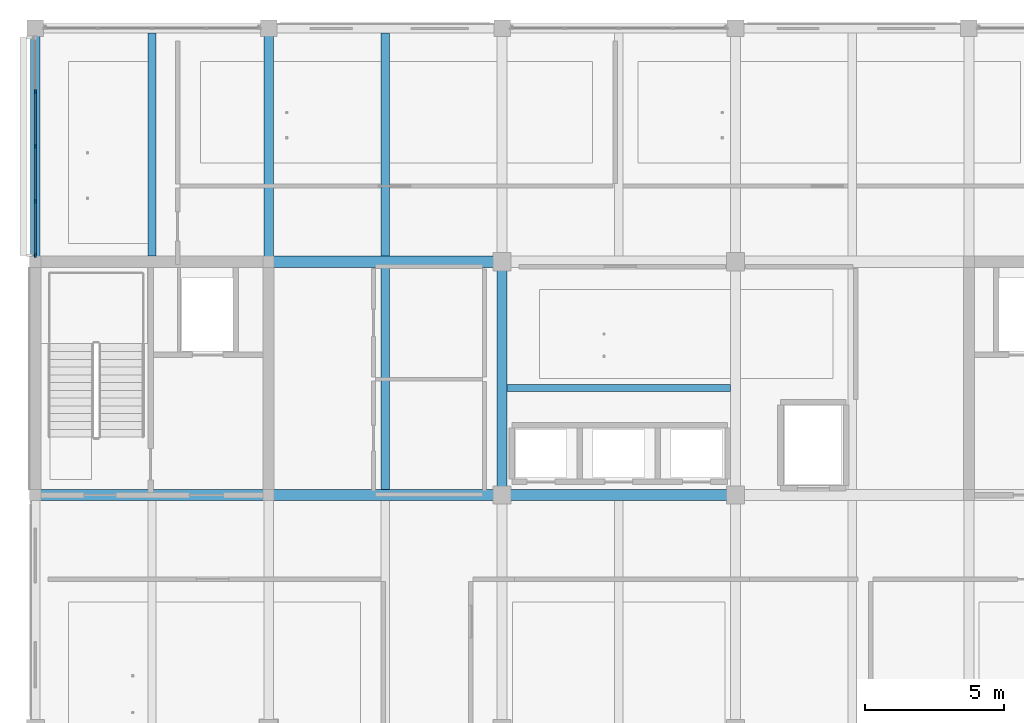
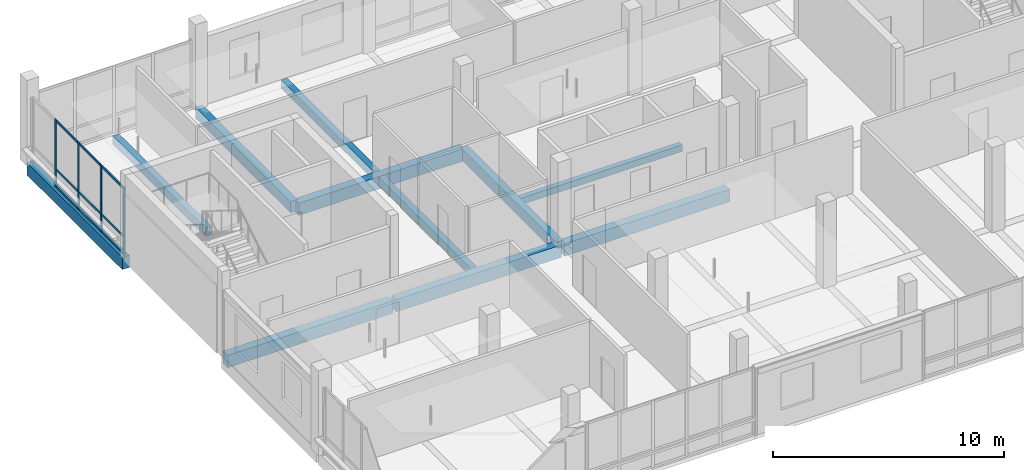
# One storey, part 4 of 30: 13 members, 11 beams, 1 element without a shape of its own.
"""IFC4 building model written with IfcOpenShell, lengths in metres."""

import ifcopenshell
import ifcopenshell.guid

model = None  # the IFC model being written
_history = None  # IfcOwnerHistory: only IFC2X3 demands one
_inside = {}  # id of a spatial element -> (the spatial element, [elements in it])
_under = {}  # id of a project, library or spatial element -> (it, [spatial elements below it])
_declared = {}  # id of a project -> (the project, [libraries it declares])
_typed = {}  # id of a type object -> (the type object, [elements of that type])
_made_of = {}  # id of a material, layer set ... -> (it, [elements and type objects made of it])


def new_model(schema):
    """Start an empty IFC model of exactly this schema.

    Asked for "IFC4X3", IfcOpenShell would pick the latest addendum, in which some entities
    have other attributes; the version numbers below select the first issue.
    IFC2X3 requires an IfcOwnerHistory on every rooted entity: one is made here for all.
    """
    global model, _history
    if schema == "IFC4X3":
        model = ifcopenshell.file(schema_version=(4, 3, 0, 0))
    else:
        model = ifcopenshell.file(schema=schema)
    _inside.clear()
    _under.clear()
    _declared.clear()
    _typed.clear()
    _made_of.clear()
    _history = None
    if model.schema == "IFC2X3":
        org = make("IfcOrganization", Name="unknown")
        user = make(
            "IfcPersonAndOrganization",
            ThePerson=make("IfcPerson", FamilyName="unknown"),
            TheOrganization=org,
        )
        app = make(
            "IfcApplication",
            ApplicationDeveloper=org,
            Version="unknown",
            ApplicationFullName="unknown",
            ApplicationIdentifier="unknown",
        )
        _history = make(
            "IfcOwnerHistory",
            OwningUser=user,
            OwningApplication=app,
            ChangeAction="ADDED",
            CreationDate=0,
        )
    return model


def make(cls, **values):
    """One entity of the class cls with the attributes given. An attribute that is None is left unset."""
    return model.create_entity(
        cls, **{name: value for name, value in values.items() if value is not None}
    )


def rooted(cls, **values):
    """An entity with a GlobalId (a new one), such as an element, a storey or a relation."""
    return make(cls, GlobalId=ifcopenshell.guid.new(), OwnerHistory=_history, **values)


def si_unit(unit_type, name, prefix=None):
    """IfcSIUnit, for example si_unit("LENGTHUNIT", "METRE", prefix="MILLI")."""
    return make("IfcSIUnit", UnitType=unit_type, Prefix=prefix, Name=name)


def assignment(units):
    """IfcUnitAssignment: the units of a project."""
    return None if units is None else make("IfcUnitAssignment", Units=units)


def point(xyz):
    """IfcCartesianPoint."""
    return None if xyz is None else make("IfcCartesianPoint", Coordinates=xyz)


def direction(xyz):
    """IfcDirection."""
    return None if xyz is None else make("IfcDirection", DirectionRatios=xyz)


def frame(location, z_axis=None, x_axis=None):
    """IfcAxis2Placement3D, a coordinate frame: its origin and axes. An axis left out is left unset."""
    return make(
        "IfcAxis2Placement3D",
        Location=point(location),
        Axis=direction(z_axis),
        RefDirection=direction(x_axis),
    )


def frame_2d(location, x_axis=None):
    """IfcAxis2Placement2D, a coordinate frame in the plane: its origin and x axis."""
    return make(
        "IfcAxis2Placement2D", Location=point(location), RefDirection=direction(x_axis)
    )


def origin():
    """The frame at (0, 0, 0) with its axes left unset."""
    return frame((0.0, 0.0, 0.0))


def origin_2d():
    """The frame at (0, 0) in the plane with its x axis left unset."""
    return frame_2d((0.0, 0.0))


def place(relative_to, where):
    """IfcLocalPlacement: puts the frame where relative to a parent placement (None: the world)."""
    return make(
        "IfcLocalPlacement", PlacementRelTo=relative_to, RelativePlacement=where
    )


def context(
    kind, dimensions, precision=None, world=None, true_north=None, identifier=None
):
    """IfcGeometricRepresentationContext, for example the 3D "Model" context."""
    return make(
        "IfcGeometricRepresentationContext",
        ContextIdentifier=identifier,
        ContextType=kind,
        CoordinateSpaceDimension=dimensions,
        Precision=precision,
        WorldCoordinateSystem=world,
        TrueNorth=true_north,
    )


def subcontext(parent, identifier, kind, view, scale=None):
    """IfcGeometricRepresentationSubContext, for example "Body" below "Model"."""
    return make(
        "IfcGeometricRepresentationSubContext",
        ContextIdentifier=identifier,
        ContextType=kind,
        ParentContext=parent,
        TargetScale=scale,
        TargetView=view,
    )


def project(units=None, contexts=None):
    """IfcProject with its units and contexts."""
    return rooted(
        "IfcProject",
        Name="project",
        RepresentationContexts=contexts,
        UnitsInContext=assignment(units),
    )


def spatial(cls, under=None, at=None, **own):
    """A site, building, storey or space (cls), placed at a placement, below another one or the project."""
    s = rooted(cls, ObjectPlacement=at, **own)
    if under is not None:
        _under.setdefault(under.id(), (under, []))[1].append(s)
    return s


def profile(cls, at=None, kind="AREA", **sizes):
    """A parametric profile (cls). Its sizes go by their IFC names, for example OverallWidth=200.0."""
    return make(cls, ProfileType=kind, Position=at, **sizes)


def rectangle(**sizes):
    """IfcRectangleProfileDef."""
    return profile("IfcRectangleProfileDef", **sizes)


def extrude(swept, where, along, depth):
    """IfcExtrudedAreaSolid: the profile swept, set in the frame where, extruded along a direction by depth."""
    return make(
        "IfcExtrudedAreaSolid",
        SweptArea=swept,
        Position=where,
        ExtrudedDirection=direction(along),
        Depth=depth,
    )


def shape(context_of_items, identifier, shape_type, items):
    """IfcShapeRepresentation: the items that make up one representation, for example the "Body"."""
    return make(
        "IfcShapeRepresentation",
        ContextOfItems=context_of_items,
        RepresentationIdentifier=identifier,
        RepresentationType=shape_type,
        Items=items,
    )


def material(Name=None, Category=None):
    """IfcMaterial."""
    return make("IfcMaterial", Name=Name, Category=Category)


def layer(
    of_material, thickness, ventilated=None, Name=None, Category=None, Priority=None
):
    """IfcMaterialLayer: one layer of a wall or slab, of a material (None: an air gap)."""
    return make(
        "IfcMaterialLayer",
        Material=of_material,
        LayerThickness=thickness,
        IsVentilated=ventilated,
        Name=Name,
        Category=Category,
        Priority=Priority,
    )


def layer_set(layers, Name=None):
    """IfcMaterialLayerSet."""
    return make("IfcMaterialLayerSet", MaterialLayers=layers, LayerSetName=Name)


def material_profile(
    of_material, cross_section, Name=None, Category=None, Priority=None
):
    """IfcMaterialProfile: a cross section and its material."""
    return make(
        "IfcMaterialProfile",
        Name=Name,
        Material=of_material,
        Profile=cross_section,
        Priority=Priority,
        Category=Category,
    )


def profile_set(profiles, Name=None, composite=None):
    """IfcMaterialProfileSet."""
    return make(
        "IfcMaterialProfileSet",
        Name=Name,
        MaterialProfiles=profiles,
        CompositeProfile=composite,
    )


def made_of(thing, what):
    """Note that an element or type object is made of a material, layer set ...; save() writes the relation."""
    if what is not None:
        _made_of.setdefault(what.id(), (what, []))[1].append(thing)
    return thing


def type_object(cls, material=None, **own):
    """A type object (cls), such as IfcWallType, which elements share."""
    return made_of(rooted(cls, **own), material)


def element(
    cls,
    number,
    at=None,
    inside=None,
    cuts=None,
    type_object=None,
    material=None,
    context=None,
    identifier="Body",
    shape_type=None,
    held_by="IfcProductDefinitionShape",
    body=None,
    shapes=None,
    **own,
):
    """One element of the class cls, such as IfcWall. Its Tag is "e" and its number.

    at: its placement. inside: the storey or other place that contains it. cuts: it is an
    opening in that element (IfcRelVoidsElement). A single representation is given by context,
    identifier, shape_type and body (its items); several are given by shapes. held_by: the class
    of the entity that holds the representations. save() writes the other relations.
    """
    e = rooted(cls, Tag="e%d" % number, ObjectPlacement=at, **own)
    if body is not None:
        shapes = [shape(context, identifier, shape_type, body)]
    if shapes is not None:
        e.Representation = make(held_by, Representations=shapes)
    if inside is not None:
        _inside.setdefault(inside.id(), (inside, []))[1].append(e)
    if cuts is not None:
        rooted(
            "IfcRelVoidsElement", RelatingBuildingElement=cuts, RelatedOpeningElement=e
        )
    if type_object is not None:
        _typed.setdefault(type_object.id(), (type_object, []))[1].append(e)
    return made_of(e, material)


def aggregate(whole, parts):
    """IfcRelAggregates: a whole, such as a stair, and the parts it consists of."""
    return rooted("IfcRelAggregates", RelatingObject=whole, RelatedObjects=parts)


def save(model, path):
    """Write the relations noted so far, then the file.

    IfcRelAggregates (storeys below a building ...), IfcRelContainedInSpatialStructure (elements
    in a storey), IfcRelDefinesByType, IfcRelAssociatesMaterial and IfcRelDeclares: one each for
    every whole, place, type object, material and project.
    """
    for whole, parts in _under.values():
        aggregate(whole, parts)
    for where, things in _inside.values():
        rooted(
            "IfcRelContainedInSpatialStructure",
            RelatedElements=things,
            RelatingStructure=where,
        )
    for kind, things in _typed.values():
        rooted("IfcRelDefinesByType", RelatedObjects=things, RelatingType=kind)
    for what, things in _made_of.values():
        rooted("IfcRelAssociatesMaterial", RelatedObjects=things, RelatingMaterial=what)
    for by, libraries in _declared.values():
        rooted("IfcRelDeclares", RelatingContext=by, RelatedDefinitions=libraries)
    model.write(path)


model = new_model("IFC4")

# Units and contexts
model_context = context("Model", 3, precision=1e-05, world=origin(), true_north=direction((0.0, 1.0)))
body_context = subcontext(model_context, "Body", "Model", "MODEL_VIEW")
ifc_project = project(units=[si_unit("LENGTHUNIT", "METRE"), si_unit("AREAUNIT", "SQUARE_METRE"), si_unit("VOLUMEUNIT", "CUBIC_METRE"), si_unit("PLANEANGLEUNIT", "RADIAN"), si_unit("MASSUNIT", "GRAM", prefix="KILO")], contexts=[model_context])

# Site, building, storey
site_placement = place(None, origin())
site = spatial("IfcSite", under=ifc_project, at=site_placement, CompositionType="ELEMENT")
building_placement = place(site_placement, origin())
building = spatial("IfcBuilding", under=site, at=building_placement, Name="Telukmera Botanical Conservatory", CompositionType="ELEMENT")
storey_placement = place(building_placement, frame((0.0, 0.0, 60.0)))
storey = spatial("IfcBuildingStorey", under=building, at=storey_placement, Name="L13", CompositionType="ELEMENT", Elevation=60.0)

# Beams
ifc_material_1 = material(Name="Concrete C40/50", Category="concrete")
ifc_material_profile_1 = material_profile(ifc_material_1, rectangle(XDim=0.300048828125, YDim=0.449951171875, at=origin_2d()), Name="RC 300x450")
ifc_profile_set_1 = profile_set([ifc_material_profile_1], Name="Concrete C40/50")
beam_type_1 = type_object("IfcBeamType", Name="Beam_B25", PredefinedType="JOIST", material=ifc_profile_set_1)
beam_1_placement = place(storey_placement, frame((63.0, 34.60009765625, -0.22509765625), z_axis=(0.0, 1.0, 0.0), x_axis=(-1.0, 0.0, 0.0)))
element("IfcBeam", 1, at=beam_1_placement, inside=storey, type_object=beam_type_1, Name="Tower Secondary Floor Joist L13", PredefinedType="JOIST", context=body_context, shape_type="SweptSolid", body=[
    extrude(rectangle(XDim=0.300048828125, YDim=0.449951171875, at=origin_2d()), origin(), (0.0, 0.0, 1.0), 8.02490234375),
])
beam_2_placement = place(storey_placement, frame((71.39990234375, 26.199951171875, -0.22509765625), z_axis=(0.0, 1.0, 0.0), x_axis=(-1.0, 0.0, 0.0)))
element("IfcBeam", 2, at=beam_2_placement, inside=storey, type_object=beam_type_1, Name="Tower Secondary Floor Joist L13", PredefinedType="JOIST", context=body_context, shape_type="SweptSolid", body=[
    extrude(rectangle(XDim=0.300048828125, YDim=0.449951171875, at=origin_2d()), origin(), (0.0, 0.0, 1.0), 8.0),
])
beam_3_placement = place(storey_placement, frame((71.39990234375, 34.60009765625, -0.22509765625), z_axis=(0.0, 1.0, 0.0), x_axis=(-1.0, 0.0, 0.0)))
element("IfcBeam", 3, at=beam_3_placement, inside=storey, type_object=beam_type_1, Name="Tower Secondary Floor Joist L13", PredefinedType="JOIST", context=body_context, shape_type="SweptSolid", body=[
    extrude(rectangle(XDim=0.300048828125, YDim=0.449951171875, at=origin_2d()), origin(), (0.0, 0.0, 1.0), 8.02490234375),
])
ifc_material_profile_2 = material_profile(ifc_material_1, rectangle(XDim=0.39990234375, YDim=0.64990234375, at=origin_2d()), Name="RC 400x650")
ifc_profile_set_2 = profile_set([ifc_material_profile_2], Name="Concrete C40/50")
beam_type_2 = type_object("IfcBeamType", Name="Beam_B8", PredefinedType="BEAM", material=ifc_profile_set_2)
beam_4_placement = place(storey_placement, frame((58.8798828125, 26.0, -0.324951171875), z_axis=(1.0, 0.0, 0.0), x_axis=(0.0, 1.0, 0.0)))
element("IfcBeam", 4, at=beam_4_placement, inside=storey, type_object=beam_type_2, Name="Tower Grid Beam L13", PredefinedType="BEAM", context=body_context, shape_type="SweptSolid", body=[
    extrude(rectangle(XDim=0.39990234375, YDim=0.64990234375, at=origin_2d()), origin(), (0.0, 0.0, 1.0), 8.240234375),
])
for number, where, z_axis, x_axis, name in (
    (5, (67.280029296875, 26.0, -0.324951171875), (1.0, 0.0, 0.0), (0.0, 1.0, 0.0), "Tower Grid Beam L13"),
    (6, (75.679931640625, 26.0, -0.324951171875), (1.0, 0.0, 0.0), (0.0, 1.0, 0.0), "Tower Grid Beam L13"),
    (7, (67.280029296875, 34.39990234375, -0.324951171875), (1.0, 0.0, 0.0), (0.0, 1.0, 0.0), "Tower Grid Beam L13"),
):
    element("IfcBeam", number, at=place(storey_placement, frame(where, z_axis=z_axis, x_axis=x_axis)), inside=storey, type_object=beam_type_2, Name=name, PredefinedType="BEAM", context=body_context, shape_type="SweptSolid", body=[
        extrude(rectangle(XDim=0.39990234375, YDim=0.64990234375, at=origin_2d()), origin(), (0.0, 0.0, 1.0), 8.239990234375),
    ])
ifc_material_profile_3 = material_profile(ifc_material_1, rectangle(XDim=0.35009765625, YDim=0.60009765625, at=origin_2d()), Name="RC 350x600")
ifc_profile_set_3 = profile_set([ifc_material_profile_3], Name="Concrete C40/50")
beam_type_3 = type_object("IfcBeamType", Name="Beam_B9", PredefinedType="BEAM", material=ifc_profile_set_3)
for number, where, z_axis, x_axis, name in (
    (8, (67.199951171875, 34.47998046875, -0.300048828125), (0.0, 1.0, 0.0), (-1.0, 0.0, 0.0), "Tower Transverse Beam L13"),
    (9, (75.60009765625, 26.080078125, -0.300048828125), (0.0, 1.0, 0.0), (-1.0, 0.0, 0.0), "Tower Transverse Beam L13"),
):
    element("IfcBeam", number, at=place(storey_placement, frame(where, z_axis=z_axis, x_axis=x_axis)), inside=storey, type_object=beam_type_3, Name=name, PredefinedType="BEAM", context=body_context, shape_type="SweptSolid", body=[
        extrude(rectangle(XDim=0.35009765625, YDim=0.60009765625, at=origin_2d()), origin(), (0.0, 0.0, 1.0), 8.239990234375),
    ])
ifc_material_2 = material(Name="Precast concrete C40/50", Category="concrete")
ifc_material_profile_4 = material_profile(ifc_material_2, rectangle(XDim=0.25, YDim=0.35009765625, at=origin_2d()), Name="PC 250x350")
ifc_profile_set_4 = profile_set([ifc_material_profile_4], Name="Precast concrete C40/50")
beam_type_4 = type_object("IfcBeamType", Name="Beam_LN2", PredefinedType="LINTEL", material=ifc_profile_set_4)
beam_5_placement = place(storey_placement, frame((75.77490234375, 29.85009765625, -0.175048828125), z_axis=(1.0, 0.0, 0.0), x_axis=(0.0, 1.0, 0.0)))
element("IfcBeam", 10, at=beam_5_placement, inside=storey, type_object=beam_type_4, Name="Tower Lift Bank Header Lintel L13", PredefinedType="LINTEL", context=body_context, shape_type="SweptSolid", body=[
    extrude(rectangle(XDim=0.25, YDim=0.35009765625, at=origin_2d()), origin(), (0.0, 0.0, 1.0), 8.050048828125),
])
ifc_material_profile_5 = material_profile(ifc_material_2, rectangle(XDim=0.35009765625, YDim=0.64990234375, at=origin_2d()), Name="PC 350x650")
ifc_profile_set_5 = profile_set([ifc_material_profile_5], Name="Precast concrete C40/50")
beam_type_5 = type_object("IfcBeamType", Name="Beam_SP3", PredefinedType="SPANDREL", material=ifc_profile_set_5)
beam_6_placement = place(storey_placement, frame((58.800048828125, 34.47998046875, -0.324951171875), z_axis=(0.0, 1.0, 0.0), x_axis=(-1.0, 0.0, 0.0)))
element("IfcBeam", 11, at=beam_6_placement, inside=storey, type_object=beam_type_5, Name="Tower Transverse Beam L13", PredefinedType="SPANDREL", context=body_context, shape_type="SweptSolid", body=[
    extrude(rectangle(XDim=0.35009765625, YDim=0.64990234375, at=origin_2d()), origin(), (0.0, 0.0, 1.0), 8.239990234375),
])

# Curtain wall, members
ifc_material_3 = material(Name="Anodised aluminium 6063-T6", Category="aluminium")
ifc_layer = layer(ifc_material_3, 0.179931640625)
ifc_layer_set = layer_set([ifc_layer], Name="Anodised aluminium 6063-T6")
curtain_wall_type = type_object("IfcCurtainWallType", Name="Tower Research Laboratory Unitised Curtain Wall", PredefinedType="USERDEFINED", material=ifc_layer_set)
curtain_wall_placement = place(storey_placement, origin())
curtain_wall = element("IfcCurtainWall", 12, at=curtain_wall_placement, inside=storey, type_object=curtain_wall_type, Name="Unitised Curtain Wall CW15 V4:L13:W4", ObjectType="UNITISED CURTAIN WALL", PredefinedType="USERDEFINED")
ifc_material_profile_6 = material_profile(ifc_material_3, rectangle(XDim=0.06005859375, YDim=0.139892578125, at=origin_2d()), Name="ALU MULL 60x140")
ifc_profile_set_6 = profile_set([ifc_material_profile_6], Name="Anodised aluminium 6063-T6")
member_type_1 = type_object("IfcMemberType", Name="Curtain Wall Extruded Mullion 60x140", PredefinedType="MULLION", material=ifc_profile_set_6)
member_1_placement = place(storey_placement, frame((58.800048828125, 34.632080078125, 0.0), z_axis=(0.0, 0.0, 1.0), x_axis=(-1.0, 0.0, 0.0)))
member_1 = element("IfcMember", 13, at=member_1_placement, type_object=member_type_1, Name="CW15 mullion 1", PredefinedType="MULLION", context=body_context, shape_type="SweptSolid", body=[
    extrude(rectangle(XDim=0.06005859375, YDim=0.139892578125, at=origin_2d()), origin(), (0.0, 0.0, 1.0), 3.550048828125),
])
member_2_placement = place(storey_placement, frame((58.800048828125, 36.575927734375, 0.0), z_axis=(0.0, 0.0, 1.0), x_axis=(-1.0, 0.0, 0.0)))
member_2 = element("IfcMember", 14, at=member_2_placement, type_object=member_type_1, Name="CW15 mullion 2", PredefinedType="MULLION", context=body_context, shape_type="SweptSolid", body=[
    extrude(rectangle(XDim=0.06005859375, YDim=0.139892578125, at=origin_2d()), origin(), (0.0, 0.0, 1.0), 3.550048828125),
])
member_3_placement = place(storey_placement, frame((58.800048828125, 38.550048828125, 0.0), z_axis=(0.0, 0.0, 1.0), x_axis=(-1.0, 0.0, 0.0)))
member_3 = element("IfcMember", 15, at=member_3_placement, type_object=member_type_1, Name="CW15 mullion 3", PredefinedType="MULLION", context=body_context, shape_type="SweptSolid", body=[
    extrude(rectangle(XDim=0.06005859375, YDim=0.139892578125, at=origin_2d()), origin(), (0.0, 0.0, 1.0), 3.550048828125),
])
member_4_placement = place(storey_placement, frame((58.800048828125, 40.52392578125, 0.0), z_axis=(0.0, 0.0, 1.0), x_axis=(-1.0, 0.0, 0.0)))
member_4 = element("IfcMember", 16, at=member_4_placement, type_object=member_type_1, Name="CW15 mullion 4", PredefinedType="MULLION", context=body_context, shape_type="SweptSolid", body=[
    extrude(rectangle(XDim=0.06005859375, YDim=0.139892578125, at=origin_2d()), origin(), (0.0, 0.0, 1.0), 3.550048828125),
])
ifc_material_profile_7 = material_profile(ifc_material_3, rectangle(XDim=0.06005859375, YDim=0.110107421875, at=origin_2d()), Name="ALU TRAN 60x110")
ifc_profile_set_7 = profile_set([ifc_material_profile_7], Name="Anodised aluminium 6063-T6")
member_type_2 = type_object("IfcMemberType", Name="Curtain Wall Extruded Transom 60x110", PredefinedType="USERDEFINED", material=ifc_profile_set_7)
member_5_placement = place(storey_placement, frame((58.800048828125, 34.662109375, 0.054931640625), z_axis=(0.0, 1.0, 0.0), x_axis=(-1.0, 0.0, 0.0)))
member_5 = element("IfcMember", 17, at=member_5_placement, type_object=member_type_2, Name="CW15 transom 1.1", ObjectType="TRANSOM", PredefinedType="USERDEFINED", context=body_context, shape_type="SweptSolid", body=[
    extrude(rectangle(XDim=0.06005859375, YDim=0.110107421875, at=origin_2d()), origin(), (0.0, 0.0, 1.0), 1.8837890625),
])
member_6_placement = place(storey_placement, frame((58.800048828125, 34.662109375, 0.949951171875), z_axis=(0.0, 1.0, 0.0), x_axis=(-1.0, 0.0, 0.0)))
member_6 = element("IfcMember", 18, at=member_6_placement, type_object=member_type_2, Name="CW15 transom 1.2", ObjectType="TRANSOM", PredefinedType="USERDEFINED", context=body_context, shape_type="SweptSolid", body=[
    extrude(rectangle(XDim=0.06005859375, YDim=0.110107421875, at=origin_2d()), origin(), (0.0, 0.0, 1.0), 1.8837890625),
])
member_7_placement = place(storey_placement, frame((58.800048828125, 34.662109375, 3.4951171875), z_axis=(0.0, 1.0, 0.0), x_axis=(-1.0, 0.0, 0.0)))
member_7 = element("IfcMember", 19, at=member_7_placement, type_object=member_type_2, Name="CW15 transom 1.3", ObjectType="TRANSOM", PredefinedType="USERDEFINED", context=body_context, shape_type="SweptSolid", body=[
    extrude(rectangle(XDim=0.06005859375, YDim=0.110107421875, at=origin_2d()), origin(), (0.0, 0.0, 1.0), 1.8837890625),
])
member_8_placement = place(storey_placement, frame((58.800048828125, 36.60595703125, 0.054931640625), z_axis=(0.0, 1.0, 0.0), x_axis=(-1.0, 0.0, 0.0)))
member_8 = element("IfcMember", 20, at=member_8_placement, type_object=member_type_2, Name="CW15 transom 2.1", ObjectType="TRANSOM", PredefinedType="USERDEFINED", context=body_context, shape_type="SweptSolid", body=[
    extrude(rectangle(XDim=0.06005859375, YDim=0.110107421875, at=origin_2d()), origin(), (0.0, 0.0, 1.0), 1.9140625),
])
member_9_placement = place(storey_placement, frame((58.800048828125, 36.60595703125, 0.949951171875), z_axis=(0.0, 1.0, 0.0), x_axis=(-1.0, 0.0, 0.0)))
member_9 = element("IfcMember", 21, at=member_9_placement, type_object=member_type_2, Name="CW15 transom 2.2", ObjectType="TRANSOM", PredefinedType="USERDEFINED", context=body_context, shape_type="SweptSolid", body=[
    extrude(rectangle(XDim=0.06005859375, YDim=0.110107421875, at=origin_2d()), origin(), (0.0, 0.0, 1.0), 1.9140625),
])
member_10_placement = place(storey_placement, frame((58.800048828125, 36.60595703125, 3.4951171875), z_axis=(0.0, 1.0, 0.0), x_axis=(-1.0, 0.0, 0.0)))
member_10 = element("IfcMember", 22, at=member_10_placement, type_object=member_type_2, Name="CW15 transom 2.3", ObjectType="TRANSOM", PredefinedType="USERDEFINED", context=body_context, shape_type="SweptSolid", body=[
    extrude(rectangle(XDim=0.06005859375, YDim=0.110107421875, at=origin_2d()), origin(), (0.0, 0.0, 1.0), 1.9140625),
])
member_11_placement = place(storey_placement, frame((58.800048828125, 38.580078125, 0.054931640625), z_axis=(0.0, 1.0, 0.0), x_axis=(-1.0, 0.0, 0.0)))
member_11 = element("IfcMember", 23, at=member_11_placement, type_object=member_type_2, Name="CW15 transom 3.1", ObjectType="TRANSOM", PredefinedType="USERDEFINED", context=body_context, shape_type="SweptSolid", body=[
    extrude(rectangle(XDim=0.06005859375, YDim=0.110107421875, at=origin_2d()), origin(), (0.0, 0.0, 1.0), 1.913818359375),
])
member_12_placement = place(storey_placement, frame((58.800048828125, 38.580078125, 0.949951171875), z_axis=(0.0, 1.0, 0.0), x_axis=(-1.0, 0.0, 0.0)))
member_12 = element("IfcMember", 24, at=member_12_placement, type_object=member_type_2, Name="CW15 transom 3.2", ObjectType="TRANSOM", PredefinedType="USERDEFINED", context=body_context, shape_type="SweptSolid", body=[
    extrude(rectangle(XDim=0.06005859375, YDim=0.110107421875, at=origin_2d()), origin(), (0.0, 0.0, 1.0), 1.913818359375),
])
member_13_placement = place(storey_placement, frame((58.800048828125, 38.580078125, 3.4951171875), z_axis=(0.0, 1.0, 0.0), x_axis=(-1.0, 0.0, 0.0)))
member_13 = element("IfcMember", 25, at=member_13_placement, type_object=member_type_2, Name="CW15 transom 3.3", ObjectType="TRANSOM", PredefinedType="USERDEFINED", context=body_context, shape_type="SweptSolid", body=[
    extrude(rectangle(XDim=0.06005859375, YDim=0.110107421875, at=origin_2d()), origin(), (0.0, 0.0, 1.0), 1.913818359375),
])
aggregate(curtain_wall, [member_1, member_2, member_3, member_4, member_5, member_6, member_7, member_8, member_9, member_10, member_11, member_12, member_13])

save(model, "model.ifc")
